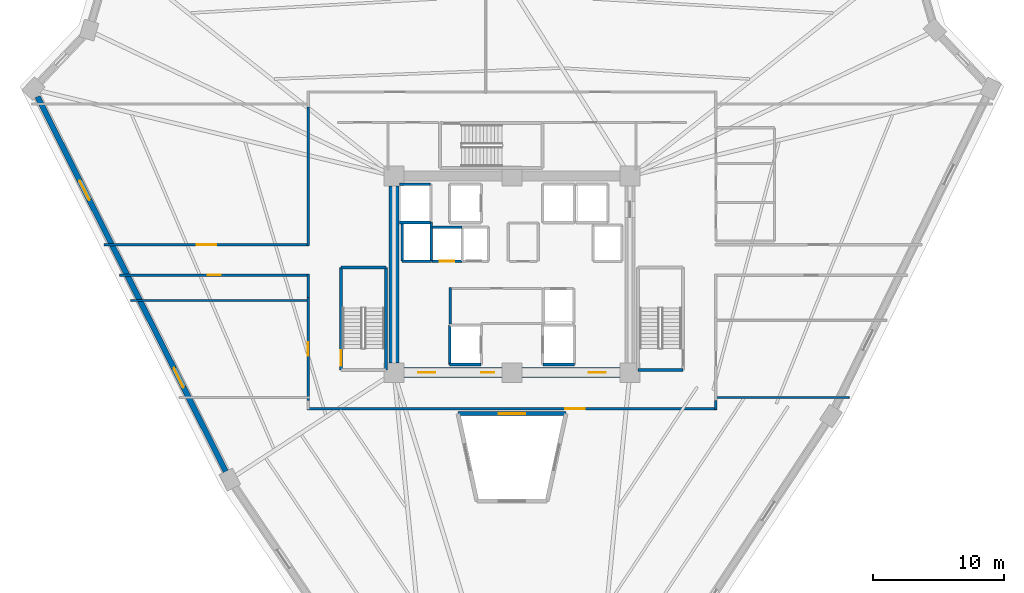
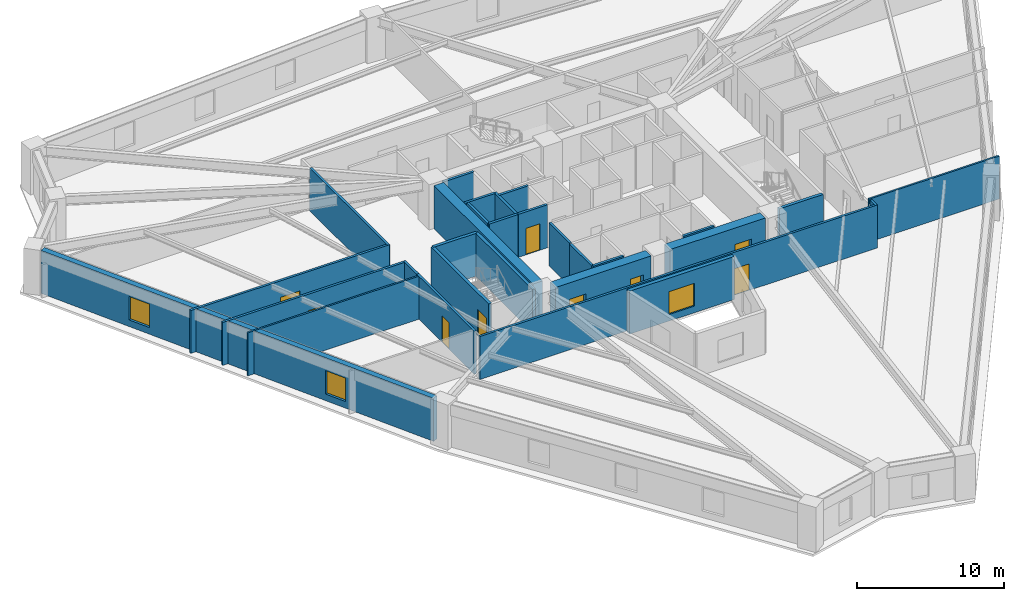
# One storey, part 3 of 7: 29 walls, 9 doors, 3 windows, 12 openings.
"""IFC4 building model written with IfcOpenShell, lengths in metres."""

from ifc_helpers import new_model, si_unit, direction, frame, frame_2d, origin, place, context, subcontext, project, spatial, rectangle, extrude, source, transform, mapped, material, layer, layer_set, type_object, element, fill, save


model = new_model("IFC4")

# Units and contexts
model_context = context("Model", 3, precision=1e-05, world=origin(), true_north=direction((0.0, 1.0)))
body_context = subcontext(model_context, "Body", "Model", "MODEL_VIEW")
ifc_project = project(units=[si_unit("LENGTHUNIT", "METRE"), si_unit("AREAUNIT", "SQUARE_METRE"), si_unit("VOLUMEUNIT", "CUBIC_METRE"), si_unit("PLANEANGLEUNIT", "RADIAN"), si_unit("MASSUNIT", "GRAM", prefix="KILO")], contexts=[model_context])

# Site, building, storey
site_placement = place(None, origin())
site = spatial("IfcSite", under=ifc_project, at=site_placement, CompositionType="ELEMENT")
building_placement = place(site_placement, origin())
building = spatial("IfcBuilding", under=site, at=building_placement, Name="Liaohun Quay Tower", CompositionType="ELEMENT")
storey_placement = place(building_placement, frame((0.0, 0.0, 120.75)))
storey = spatial("IfcBuildingStorey", under=building, at=storey_placement, Name="L31", CompositionType="ELEMENT", Elevation=120.75)

# Wall, opening, window
ifc_material_1 = material(Name="Concrete C50", Category="concrete")
ifc_layer_1 = layer(ifc_material_1, 0.300048828125, Name="Concrete C50", Category="concrete")
ifc_layer_set_1 = layer_set([ifc_layer_1], Name="Concrete C50")
wall_type_1 = type_object("IfcWallType", Name="WAL-ATR-300", PredefinedType="SOLIDWALL", material=ifc_layer_set_1)
wall_1_placement = place(storey_placement, frame((55.875, 43.3701171875, 0.0), z_axis=(0.0, 0.0, 1.0), x_axis=(1.0, 0.0, 0.0)))
wall_1 = element("IfcWall", 1, at=wall_1_placement, inside=storey, type_object=wall_type_1, Name="L31 Atrium Fire Compartment Wall 2", PredefinedType="SOLIDWALL", context=body_context, shape_type="SweptSolid", body=[
    extrude(rectangle(XDim=8.25, YDim=0.300048828125, at=frame_2d((4.125, 0.0))), origin(), (0.0, 0.0, 1.0), 3.570068359375),
])
shared_shape_1 = source(origin(), body_context, "Body", "SweptSolid", [
    extrude(rectangle(XDim=2.0, YDim=1.89990234375, at=frame_2d((1.0, 0.949951171875))), frame((0.0, 0.159912109375, 0.0), z_axis=(0.0, -1.0, 0.0), x_axis=(1.0, 0.0, 0.0)), (0.0, 0.0, 1.0), 0.320068359375),
])
opening_1_placement = place(wall_1_placement, frame((3.125, 0.0, 0.550048828125)))
opening_1 = element("IfcOpeningElement", 2, at=opening_1_placement, cuts=wall_1, Name="Opening W07", PredefinedType="OPENING", context=body_context, shape_type="MappedRepresentation", body=[
    mapped(shared_shape_1, transform((0.0, 0.0, 0.0), x_axis=(1.0, 0.0, 0.0), y_axis=(0.0, 1.0, 0.0), z_axis=(0.0, 0.0, 1.0), scale=1.0)),
])
ifc_material_2 = material(Name="Class A 180-min fire-resistant insulated glazing", Category="glass")
window_type_1 = type_object("IfcWindowType", Name="WIN-ATR-FIR", PartitioningType="DOUBLE_PANEL_VERTICAL", PredefinedType="WINDOW", material=ifc_material_2)
shared_shape_2 = source(origin(), body_context, "Body", "SweptSolid", [
    extrude(rectangle(XDim=2.0, YDim=1.89990234375, at=frame_2d((1.0, 0.949951171875))), frame((0.0, 0.030029296875, 0.0), z_axis=(0.0, -1.0, 0.0), x_axis=(1.0, 0.0, 0.0)), (0.0, 0.0, 1.0), 0.06005859375),
])
window_1_placement = place(opening_1_placement, origin())
window_1 = element("IfcWindow", 3, at=window_1_placement, inside=storey, type_object=window_type_1, Name="L31 Atrium Fire-Resistant Glazing W07-2", OverallHeight=1.89990234375, OverallWidth=2.0, PartitioningType="DOUBLE_PANEL_VERTICAL", PredefinedType="WINDOW", context=body_context, shape_type="MappedRepresentation", body=[
    mapped(shared_shape_2, transform((0.0, 0.0, 0.0), x_axis=(1.0, 0.0, 0.0), y_axis=(0.0, 1.0, 0.0), z_axis=(0.0, 0.0, 1.0), scale=1.0)),
])
fill(opening_1, window_1)

# Wall, opening, door
ifc_material_3 = material(Name="Concrete C60", Category="concrete")
ifc_layer_2 = layer(ifc_material_3, 0.75, Name="Concrete C60", Category="concrete")
ifc_layer_set_2 = layer_set([ifc_layer_2], Name="Concrete C60")
wall_type_2 = type_object("IfcWallType", Name="WAL-COR-Z2", PredefinedType="SHEAR", material=ifc_layer_set_2)
wall_2_placement = place(storey_placement, frame((68.25, 46.5, 0.0), z_axis=(0.0, 0.0, 1.0), x_axis=(-1.0, 0.0, 0.0)))
wall_2 = element("IfcWall", 4, at=wall_2_placement, inside=storey, type_object=wall_type_2, Name="L31 Central Core Shear Wall S-E", PredefinedType="SHEAR", context=body_context, shape_type="SweptSolid", body=[
    extrude(rectangle(XDim=7.5, YDim=0.75, at=frame_2d((3.75, 0.0))), origin(), (0.0, 0.0, 1.0), 3.570068359375),
])
shared_shape_3 = source(origin(), body_context, "Body", "SweptSolid", [
    extrude(rectangle(XDim=1.300048828125, YDim=2.199951171875, at=frame_2d((0.64990234375, 1.10009765625))), frame((0.0, 0.385009765625, 0.0), z_axis=(0.0, -1.0, 0.0), x_axis=(1.0, 0.0, 0.0)), (0.0, 0.0, 1.0), 0.77001953125),
])
opening_2_placement = place(wall_2_placement, frame((1.10009765625, 0.0, 0.0)))
opening_2 = element("IfcOpeningElement", 5, at=opening_2_placement, cuts=wall_2, Name="Opening FD1", PredefinedType="OPENING", context=body_context, shape_type="MappedRepresentation", body=[
    mapped(shared_shape_3, transform((0.0, 0.0, 0.0), x_axis=(1.0, 0.0, 0.0), y_axis=(0.0, 1.0, 0.0), z_axis=(0.0, 0.0, 1.0), scale=1.0)),
])
ifc_material_4 = material(Name="Galvanised steel smokeproof fire door", Category="steel")
door_type_1 = type_object("IfcDoorType", Name="DOR-FFL-1300", OperationType="NOTDEFINED", PredefinedType="DOOR", material=ifc_material_4)
shared_shape_4 = source(origin(), body_context, "Body", "SweptSolid", [
    extrude(rectangle(XDim=1.300048828125, YDim=2.199951171875, at=frame_2d((0.64990234375, 1.10009765625))), frame((0.0, 0.02490234375, 0.0), z_axis=(0.0, -1.0, 0.0), x_axis=(1.0, 0.0, 0.0)), (0.0, 0.0, 1.0), 0.050048828125),
])
door_1_placement = place(opening_2_placement, origin())
door_1 = element("IfcDoor", 6, at=door_1_placement, inside=storey, type_object=door_type_1, Name="L31 East Core Lift Lobby Smokeproof Door", OperationType="SINGLE_SWING_LEFT", OverallHeight=2.199951171875, OverallWidth=1.300048828125, PredefinedType="DOOR", context=body_context, shape_type="MappedRepresentation", body=[
    mapped(shared_shape_4, transform((0.0, 0.0, 0.0), x_axis=(1.0, 0.0, 0.0), y_axis=(0.0, 1.0, 0.0), z_axis=(0.0, 0.0, 1.0), scale=1.0)),
])
fill(opening_2, door_1)

# Wall, openings, doors
wall_3_placement = place(storey_placement, frame((59.25, 46.5, 0.0), z_axis=(0.0, 0.0, 1.0), x_axis=(-1.0, 0.0, 0.0)))
wall_3 = element("IfcWall", 7, at=wall_3_placement, inside=storey, type_object=wall_type_2, Name="L31 Central Core Shear Wall S-W", PredefinedType="SHEAR", context=body_context, shape_type="SweptSolid", body=[
    extrude(rectangle(XDim=7.5, YDim=0.75, at=frame_2d((3.75, 0.0))), origin(), (0.0, 0.0, 1.0), 3.570068359375),
])
opening_3_placement = place(wall_3_placement, frame((5.10009765625, 0.0, 0.0)))
opening_3 = element("IfcOpeningElement", 8, at=opening_3_placement, cuts=wall_3, Name="Opening FD1", PredefinedType="OPENING", context=body_context, shape_type="MappedRepresentation", body=[
    mapped(shared_shape_3, transform((0.0, 0.0, 0.0), x_axis=(1.0, 0.0, 0.0), y_axis=(0.0, 1.0, 0.0), z_axis=(0.0, 0.0, 1.0), scale=1.0)),
])
shared_shape_5 = source(origin(), body_context, "Body", "SweptSolid", [
    extrude(rectangle(XDim=1.0, YDim=2.199951171875, at=frame_2d((0.5, 1.10009765625))), frame((0.0, 0.385009765625, 0.0), z_axis=(0.0, -1.0, 0.0), x_axis=(1.0, 0.0, 0.0)), (0.0, 0.0, 1.0), 0.77001953125),
])
opening_4_placement = place(wall_3_placement, frame((0.60009765625, 0.0, 0.0)))
opening_4 = element("IfcOpeningElement", 9, at=opening_4_placement, cuts=wall_3, Name="Opening FD2", PredefinedType="OPENING", context=body_context, shape_type="MappedRepresentation", body=[
    mapped(shared_shape_5, transform((0.0, 0.0, 0.0), x_axis=(1.0, 0.0, 0.0), y_axis=(0.0, 1.0, 0.0), z_axis=(0.0, 0.0, 1.0), scale=1.0)),
])
door_2_placement = place(opening_3_placement, origin())
door_2 = element("IfcDoor", 10, at=door_2_placement, inside=storey, type_object=door_type_1, Name="L31 West Core Lift Lobby Smokeproof Door", OperationType="SINGLE_SWING_RIGHT", OverallHeight=2.199951171875, OverallWidth=1.300048828125, PredefinedType="DOOR", context=body_context, shape_type="MappedRepresentation", body=[
    mapped(shared_shape_4, transform((0.0, 0.0, 0.0), x_axis=(1.0, 0.0, 0.0), y_axis=(0.0, 1.0, 0.0), z_axis=(0.0, 0.0, 1.0), scale=1.0)),
])
fill(opening_3, door_2)
ifc_material_5 = material(Name="Galvanised steel smokeproof lobby fire door", Category="steel")
door_type_2 = type_object("IfcDoorType", Name="DOR-FFL-1000", OperationType="NOTDEFINED", PredefinedType="DOOR", material=ifc_material_5)
shared_shape_6 = source(origin(), body_context, "Body", "SweptSolid", [
    extrude(rectangle(XDim=1.0, YDim=2.199951171875, at=frame_2d((0.5, 1.10009765625))), frame((0.0, 0.02490234375, 0.0), z_axis=(0.0, -1.0, 0.0), x_axis=(1.0, 0.0, 0.0)), (0.0, 0.0, 1.0), 0.050048828125),
])
door_3_placement = place(opening_4_placement, origin())
door_3 = element("IfcDoor", 11, at=door_3_placement, inside=storey, type_object=door_type_2, Name="L31 South Firefighting Lobby Smokeproof Door", OperationType="SINGLE_SWING_LEFT", OverallHeight=2.199951171875, OverallWidth=1.0, PredefinedType="DOOR", context=body_context, shape_type="MappedRepresentation", body=[
    mapped(shared_shape_6, transform((0.0, 0.0, 0.0), x_axis=(1.0, 0.0, 0.0), y_axis=(0.0, 1.0, 0.0), z_axis=(0.0, 0.0, 1.0), scale=1.0)),
])
fill(opening_4, door_3)

# Wall
wall_4_placement = place(storey_placement, frame((51.0, 47.25, 0.0), z_axis=(0.0, 0.0, 1.0), x_axis=(0.0, 1.0, 0.0)))
element("IfcWall", 12, at=wall_4_placement, inside=storey, type_object=wall_type_2, Name="L31 Central Core Shear Wall W", PredefinedType="SHEAR", context=body_context, shape_type="SweptSolid", body=[
    extrude(rectangle(XDim=13.5, YDim=0.75, at=frame_2d((6.75, 0.0))), origin(), (0.0, 0.0, 1.0), 3.570068359375),
])

# Wall, openings, windows
ifc_material_6 = material(Name="Precast concrete C50 insulated sandwich", Category="concrete")
ifc_layer_3 = layer(ifc_material_6, 0.419921875, Name="Precast concrete C50 insulated sandwich", Category="concrete")
ifc_layer_set_3 = layer_set([ifc_layer_3], Name="Precast concrete C50 insulated sandwich")
wall_type_3 = type_object("IfcWallType", Name="WAL-EXT-Z12", PredefinedType="SOLIDWALL", material=ifc_layer_set_3)
wall_5_placement = place(storey_placement, frame((23.797119140625, 67.552978515625, 0.0), z_axis=(0.0, 0.0, 1.0), x_axis=(0.448851439989, -0.893606392558, 0.0)))
wall_5 = element("IfcWall", 13, at=wall_5_placement, inside=storey, type_object=wall_type_3, Name="L31 Brutalist Precast Pier Wall 10", PredefinedType="SOLIDWALL", context=body_context, shape_type="SweptSolid", body=[
    extrude(rectangle(XDim=32.00390625, YDim=0.419921875, at=frame_2d((16.001953125, 0.0))), origin(), (0.0, 0.0, 1.0), 3.570068359375),
])
shared_shape_7 = source(origin(), body_context, "Body", "SweptSolid", [
    extrude(rectangle(XDim=1.64990234375, YDim=1.949951171875, at=frame_2d((0.824951171875, 0.97509765625))), frame((0.0, 0.219970703125, 0.0), z_axis=(0.0, -1.0, 0.0), x_axis=(1.0, 0.0, 0.0)), (0.0, 0.0, 1.0), 0.43994140625),
])
opening_5_placement = place(wall_5_placement, frame((7.176025390625, 0.0, 0.550048828125)))
opening_5 = element("IfcOpeningElement", 14, at=opening_5_placement, cuts=wall_5, Name="Opening W02", PredefinedType="OPENING", context=body_context, shape_type="MappedRepresentation", body=[
    mapped(shared_shape_7, transform((0.0, 0.0, 0.0), x_axis=(1.0, 0.0, 0.0), y_axis=(0.0, 1.0, 0.0), z_axis=(0.0, 0.0, 1.0), scale=1.0)),
])
opening_6_placement = place(wall_5_placement, frame((23.177978515625, 0.0, 0.550048828125)))
opening_6 = element("IfcOpeningElement", 15, at=opening_6_placement, cuts=wall_5, Name="Opening W02", PredefinedType="OPENING", context=body_context, shape_type="MappedRepresentation", body=[
    mapped(shared_shape_7, transform((0.0, 0.0, 0.0), x_axis=(1.0, 0.0, 0.0), y_axis=(0.0, 1.0, 0.0), z_axis=(0.0, 0.0, 1.0), scale=1.0)),
])
ifc_material_7 = material(Name="Triple Low-E argon glazing in thermally broken aluminium", Category="aluminium")
window_type_2 = type_object("IfcWindowType", Name="WIN-PUN-Z2", PartitioningType="DOUBLE_PANEL_VERTICAL", PredefinedType="WINDOW", material=ifc_material_7)
shared_shape_8 = source(origin(), body_context, "Body", "SweptSolid", [
    extrude(rectangle(XDim=1.64990234375, YDim=1.949951171875, at=frame_2d((0.824951171875, 0.97509765625))), frame((0.0, 0.030029296875, 0.0), z_axis=(0.0, -1.0, 0.0), x_axis=(1.0, 0.0, 0.0)), (0.0, 0.0, 1.0), 0.06005859375),
])
window_2_placement = place(opening_5_placement, origin())
window_2 = element("IfcWindow", 16, at=window_2_placement, inside=storey, type_object=window_type_2, Name="L31 Recessed Cold-Climate Punched Window 10-1", OverallHeight=1.949951171875, OverallWidth=1.64990234375, PartitioningType="DOUBLE_PANEL_VERTICAL", PredefinedType="WINDOW", context=body_context, shape_type="MappedRepresentation", body=[
    mapped(shared_shape_8, transform((0.0, 0.0, 0.0), x_axis=(1.0, 0.0, 0.0), y_axis=(0.0, 1.0, 0.0), z_axis=(0.0, 0.0, 1.0), scale=1.0)),
])
fill(opening_5, window_2)
window_3_placement = place(opening_6_placement, origin())
window_3 = element("IfcWindow", 17, at=window_3_placement, inside=storey, type_object=window_type_2, Name="L31 Recessed Cold-Climate Punched Window 10-3", OverallHeight=1.949951171875, OverallWidth=1.64990234375, PartitioningType="DOUBLE_PANEL_VERTICAL", PredefinedType="WINDOW", context=body_context, shape_type="MappedRepresentation", body=[
    mapped(shared_shape_8, transform((0.0, 0.0, 0.0), x_axis=(1.0, 0.0, 0.0), y_axis=(0.0, 1.0, 0.0), z_axis=(0.0, 0.0, 1.0), scale=1.0)),
])
fill(opening_6, window_3)

# Wall, opening, door
ifc_material_8 = material(Name="Autoclaved aerated concrete blockwork", Category="masonry")
ifc_layer_4 = layer(ifc_material_8, 0.179931640625, Name="Autoclaved aerated concrete blockwork", Category="masonry")
ifc_layer_set_4 = layer_set([ifc_layer_4], Name="Autoclaved aerated concrete blockwork")
wall_type_4 = type_object("IfcWallType", Name="WAL-PRT-COR", PredefinedType="PARTITIONING", material=ifc_layer_set_4)
wall_6_placement = place(storey_placement, frame((28.8740234375, 56.260009765625, 0.0), z_axis=(0.0, 0.0, 1.0), x_axis=(1.0, 0.0, 0.0)))
wall_6 = element("IfcWall", 18, at=wall_6_placement, inside=storey, type_object=wall_type_4, Name="L31 Interior Partition Wall 013", PredefinedType="PARTITIONING", context=body_context, shape_type="SweptSolid", body=[
    extrude(rectangle(XDim=15.635986328125, YDim=0.179931640625, at=frame_2d((7.81787109375, 0.0))), origin(), (0.0, 0.0, 1.0), 3.570068359375),
])
shared_shape_9 = source(origin(), body_context, "Body", "SweptSolid", [
    extrude(rectangle(XDim=1.5, YDim=2.199951171875, at=frame_2d((0.75, 1.10009765625))), frame((0.0, 0.099853515625, 0.0), z_axis=(0.0, -1.0, 0.0), x_axis=(1.0, 0.0, 0.0)), (0.0, 0.0, 1.0), 0.199951171875),
])
opening_7_placement = place(wall_6_placement, frame((7.068115234375, 0.0, 0.0)))
opening_7 = element("IfcOpeningElement", 19, at=opening_7_placement, cuts=wall_6, Name="Opening OD2", PredefinedType="OPENING", context=body_context, shape_type="MappedRepresentation", body=[
    mapped(shared_shape_9, transform((0.0, 0.0, 0.0), x_axis=(1.0, 0.0, 0.0), y_axis=(0.0, 1.0, 0.0), z_axis=(0.0, 0.0, 1.0), scale=1.0)),
])
ifc_material_9 = material(Name="Acoustic oak veneer double door")
door_type_3 = type_object("IfcDoorType", Name="DOR-OFF-1500", OperationType="DOUBLE_DOOR_SINGLE_SWING", PredefinedType="DOOR", material=ifc_material_9)
shared_shape_10 = source(origin(), body_context, "Body", "SweptSolid", [
    extrude(rectangle(XDim=1.5, YDim=2.199951171875, at=frame_2d((0.75, 1.10009765625))), frame((0.0, 0.02490234375, 0.0), z_axis=(0.0, -1.0, 0.0), x_axis=(1.0, 0.0, 0.0)), (0.0, 0.0, 1.0), 0.050048828125),
])
door_4_placement = place(opening_7_placement, origin())
door_4 = element("IfcDoor", 20, at=door_4_placement, inside=storey, type_object=door_type_3, Name="L31 Project Collaboration Studio 04 Door", OperationType="DOUBLE_DOOR_SINGLE_SWING", OverallHeight=2.199951171875, OverallWidth=1.5, PredefinedType="DOOR", context=body_context, shape_type="MappedRepresentation", body=[
    mapped(shared_shape_10, transform((0.0, 0.0, 0.0), x_axis=(1.0, 0.0, 0.0), y_axis=(0.0, 1.0, 0.0), z_axis=(0.0, 0.0, 1.0), scale=1.0)),
])
fill(opening_7, door_4)

wall_7_placement = place(storey_placement, frame((44.510009765625, 53.93994140625, 0.0), z_axis=(0.0, 0.0, 1.0), x_axis=(-1.0, 0.0, 0.0)))
wall_7 = element("IfcWall", 21, at=wall_7_placement, inside=storey, type_object=wall_type_4, Name="L31 Interior Partition Wall 014", PredefinedType="PARTITIONING", context=body_context, shape_type="SweptSolid", body=[
    extrude(rectangle(XDim=14.470947265625, YDim=0.179931640625, at=frame_2d((7.2353515625, 0.0))), origin(), (0.0, 0.0, 1.0), 3.570068359375),
])
shared_shape_11 = source(origin(), body_context, "Body", "SweptSolid", [
    extrude(rectangle(XDim=1.0, YDim=2.199951171875, at=frame_2d((0.5, 1.10009765625))), frame((0.0, 0.099853515625, 0.0), z_axis=(0.0, -1.0, 0.0), x_axis=(1.0, 0.0, 0.0)), (0.0, 0.0, 1.0), 0.199951171875),
])
opening_8_placement = place(wall_7_placement, frame((6.735107421875, 0.0, 0.0)))
opening_8 = element("IfcOpeningElement", 22, at=opening_8_placement, cuts=wall_7, Name="Opening OD1", PredefinedType="OPENING", context=body_context, shape_type="MappedRepresentation", body=[
    mapped(shared_shape_11, transform((0.0, 0.0, 0.0), x_axis=(1.0, 0.0, 0.0), y_axis=(0.0, 1.0, 0.0), z_axis=(0.0, 0.0, 1.0), scale=1.0)),
])
ifc_material_10 = material(Name="Solid-core oak veneer timber leaf in steel frame", Category="steel")
door_type_4 = type_object("IfcDoorType", Name="DOR-OFF-1000", OperationType="NOTDEFINED", PredefinedType="DOOR", material=ifc_material_10)
door_5_placement = place(opening_8_placement, origin())
door_5 = element("IfcDoor", 23, at=door_5_placement, inside=storey, type_object=door_type_4, Name="L31 Staff Daycare Nursery 05 Door", OperationType="SINGLE_SWING_LEFT", OverallHeight=2.199951171875, OverallWidth=1.0, PredefinedType="DOOR", context=body_context, shape_type="MappedRepresentation", body=[
    mapped(shared_shape_6, transform((0.0, 0.0, 0.0), x_axis=(1.0, 0.0, 0.0), y_axis=(0.0, 1.0, 0.0), z_axis=(0.0, 0.0, 1.0), scale=1.0)),
])
fill(opening_8, door_5)

wall_8_placement = place(storey_placement, frame((44.43994140625, 44.385009765625, 0.0), z_axis=(0.0, 0.0, 1.0), x_axis=(0.0, 1.0, 0.0)))
wall_8 = element("IfcWall", 24, at=wall_8_placement, inside=storey, type_object=wall_type_4, Name="L31 Interior Partition Wall 015", PredefinedType="PARTITIONING", context=body_context, shape_type="SweptSolid", body=[
    extrude(rectangle(XDim=7.830078125, YDim=0.179931640625, at=frame_2d((3.9150390625, 0.0))), origin(), (0.0, 0.0, 1.0), 3.570068359375),
])
opening_9_placement = place(wall_8_placement, frame((3.4150390625, 0.0, 0.0)))
opening_9 = element("IfcOpeningElement", 25, at=opening_9_placement, cuts=wall_8, Name="Opening OD1", PredefinedType="OPENING", context=body_context, shape_type="MappedRepresentation", body=[
    mapped(shared_shape_11, transform((0.0, 0.0, 0.0), x_axis=(1.0, 0.0, 0.0), y_axis=(0.0, 1.0, 0.0), z_axis=(0.0, 0.0, 1.0), scale=1.0)),
])
door_6_placement = place(opening_9_placement, origin())
door_6 = element("IfcDoor", 26, at=door_6_placement, inside=storey, type_object=door_type_4, Name="L31 Staff Tea Kitchen and Pantry 06 Door", OperationType="SINGLE_SWING_RIGHT", OverallHeight=2.199951171875, OverallWidth=1.0, PredefinedType="DOOR", context=body_context, shape_type="MappedRepresentation", body=[
    mapped(shared_shape_6, transform((0.0, 0.0, 0.0), x_axis=(1.0, 0.0, 0.0), y_axis=(0.0, 1.0, 0.0), z_axis=(0.0, 0.0, 1.0), scale=1.0)),
])
fill(opening_9, door_6)

wall_9_placement = place(storey_placement, frame((75.6298828125, 43.739990234375, 0.0), z_axis=(0.0, 0.0, 1.0), x_axis=(-1.0, 0.0, 0.0)))
wall_9 = element("IfcWall", 27, at=wall_9_placement, inside=storey, type_object=wall_type_4, Name="L31 Interior Partition Wall 016", PredefinedType="PARTITIONING", context=body_context, shape_type="SweptSolid", body=[
    extrude(rectangle(XDim=31.259765625, YDim=0.179931640625, at=frame_2d((15.6298828125, 0.0))), origin(), (0.0, 0.0, 1.0), 3.570068359375),
])
opening_10_placement = place(wall_9_placement, frame((10.080078125, 0.0, 0.0)))
opening_10 = element("IfcOpeningElement", 28, at=opening_10_placement, cuts=wall_9, Name="Opening OD2", PredefinedType="OPENING", context=body_context, shape_type="MappedRepresentation", body=[
    mapped(shared_shape_9, transform((0.0, 0.0, 0.0), x_axis=(1.0, 0.0, 0.0), y_axis=(0.0, 1.0, 0.0), z_axis=(0.0, 0.0, 1.0), scale=1.0)),
])
door_7_placement = place(opening_10_placement, origin())
door_7 = element("IfcDoor", 29, at=door_7_placement, inside=storey, type_object=door_type_3, Name="L31 Technical Reference Library 07 Door", OperationType="DOUBLE_DOOR_SINGLE_SWING", OverallHeight=2.199951171875, OverallWidth=1.5, PredefinedType="DOOR", context=body_context, shape_type="MappedRepresentation", body=[
    mapped(shared_shape_10, transform((0.0, 0.0, 0.0), x_axis=(1.0, 0.0, 0.0), y_axis=(0.0, 1.0, 0.0), z_axis=(0.0, 0.0, 1.0), scale=1.0)),
])
fill(opening_10, door_7)

# Walls
wall_10_placement = place(storey_placement, frame((44.43994140625, 56.18994140625, 0.0), z_axis=(0.0, 0.0, 1.0), x_axis=(0.0, 1.0, 0.0)))
element("IfcWall", 30, at=wall_10_placement, inside=storey, type_object=wall_type_4, Name="L31 Interior Partition Wall 032", PredefinedType="PARTITIONING", context=body_context, shape_type="SweptSolid", body=[
    extrude(rectangle(XDim=10.594970703125, YDim=0.179931640625, at=frame_2d((5.29736328125, 0.0))), origin(), (0.0, 0.0, 1.0), 3.570068359375),
])
wall_11_placement = place(storey_placement, frame((44.43994140625, 52.215087890625, 0.0), z_axis=(0.0, 0.0, 1.0), x_axis=(0.0, 1.0, 0.0)))
element("IfcWall", 31, at=wall_11_placement, inside=storey, type_object=wall_type_4, Name="L31 Interior Partition Wall 033", PredefinedType="PARTITIONING", context=body_context, shape_type="SweptSolid", body=[
    extrude(rectangle(XDim=1.794921875, YDim=0.179931640625, at=frame_2d((0.8974609375, 0.0))), origin(), (0.0, 0.0, 1.0), 3.570068359375),
])
wall_12_placement = place(storey_placement, frame((75.56005859375, 44.385009765625, 0.0), z_axis=(0.0, 0.0, 1.0), x_axis=(0.0, -1.0, 0.0)))
element("IfcWall", 32, at=wall_12_placement, inside=storey, type_object=wall_type_4, Name="L31 Interior Partition Wall 035", PredefinedType="PARTITIONING", context=body_context, shape_type="SweptSolid", body=[
    extrude(rectangle(XDim=0.715087890625, YDim=0.179931640625, at=frame_2d((0.357421875, 0.0))), origin(), (0.0, 0.0, 1.0), 3.570068359375),
])
wall_13_placement = place(storey_placement, frame((55.300048828125, 50.219970703125, 0.0), z_axis=(0.0, 0.0, 1.0), x_axis=(0.0, 1.0, 0.0)))
element("IfcWall", 33, at=wall_13_placement, inside=storey, type_object=wall_type_4, Name="L31 Interior Partition Wall 044", PredefinedType="PARTITIONING", context=body_context, shape_type="SweptSolid", body=[
    extrude(rectangle(XDim=2.7900390625, YDim=0.179931640625, at=frame_2d((1.39501953125, 0.0))), origin(), (0.0, 0.0, 1.0), 3.570068359375),
])
ifc_material_11 = material(Name="Gypsum board on twin steel studs", Category="steel")
ifc_layer_5 = layer(ifc_material_11, 0.139892578125, Name="Gypsum board on twin steel studs", Category="steel")
ifc_layer_set_5 = layer_set([ifc_layer_5], Name="Gypsum board on twin steel studs")
wall_type_5 = type_object("IfcWallType", Name="WAL-PRT-OFF", PredefinedType="PARTITIONING", material=ifc_layer_set_5)
wall_14_placement = place(storey_placement, frame((44.5400390625, 52.0, 0.0), z_axis=(0.0, 0.0, 1.0), x_axis=(-1.0, 0.0, 0.0)))
element("IfcWall", 34, at=wall_14_placement, inside=storey, type_object=wall_type_5, Name="L31 Interior Partition Wall 038", PredefinedType="PARTITIONING", context=body_context, shape_type="SweptSolid", body=[
    extrude(rectangle(XDim=13.635986328125, YDim=0.139892578125, at=frame_2d((6.81787109375, 0.0))), origin(), (0.0, 0.0, 1.0), 3.570068359375),
])
wall_15_placement = place(storey_placement, frame((75.4599609375, 44.60009765625, 0.0), z_axis=(0.0, 0.0, 1.0), x_axis=(1.0, 0.0, 0.0)))
element("IfcWall", 35, at=wall_15_placement, inside=storey, type_object=wall_type_5, Name="L31 Interior Partition Wall 040", PredefinedType="PARTITIONING", context=body_context, shape_type="SweptSolid", body=[
    extrude(rectangle(XDim=10.259033203125, YDim=0.139892578125, at=frame_2d((5.12939453125, 0.0))), origin(), (0.0, 0.0, 1.0), 3.570068359375),
])
ifc_layer_6 = layer(ifc_material_1, 0.239990234375, Name="Concrete C50", Category="concrete")
ifc_layer_set_6 = layer_set([ifc_layer_6], Name="Concrete C50")
wall_type_6 = type_object("IfcWallType", Name="WAL-SHF-200", PredefinedType="SOLIDWALL", material=ifc_layer_set_6)
wall_16_placement = place(storey_placement, frame((50.3798828125, 46.699951171875, 0.0), z_axis=(0.0, 0.0, 1.0), x_axis=(0.0, 1.0, 0.0)))
element("IfcWall", 36, at=wall_16_placement, inside=storey, type_object=wall_type_6, Name="L31 Stairwell ST-1 Structural Core Wall E", PredefinedType="SOLIDWALL", context=body_context, shape_type="SweptSolid", body=[
    extrude(rectangle(XDim=7.820068359375, YDim=0.239990234375, at=frame_2d((3.91015625, 0.0))), origin(), (0.0, 0.0, 1.0), 3.570068359375),
])
wall_17_placement = place(storey_placement, frame((50.3798828125, 54.52001953125, 0.0), z_axis=(0.0, 0.0, 1.0), x_axis=(-1.0, 0.0, 0.0)))
element("IfcWall", 37, at=wall_17_placement, inside=storey, type_object=wall_type_6, Name="L31 Stairwell ST-1 Structural Core Wall N", PredefinedType="SOLIDWALL", context=body_context, shape_type="SweptSolid", body=[
    extrude(rectangle(XDim=3.43994140625, YDim=0.239990234375, at=frame_2d((1.719970703125, 0.0))), origin(), (0.0, 0.0, 1.0), 3.570068359375),
])

# Wall, opening, door
wall_18_placement = place(storey_placement, frame((46.93994140625, 54.52001953125, 0.0), z_axis=(0.0, 0.0, 1.0), x_axis=(0.0, -1.0, 0.0)))
wall_18 = element("IfcWall", 38, at=wall_18_placement, inside=storey, type_object=wall_type_6, Name="L31 Stairwell ST-1 Structural Core Wall W", PredefinedType="SOLIDWALL", context=body_context, shape_type="SweptSolid", body=[
    extrude(rectangle(XDim=7.820068359375, YDim=0.239990234375, at=frame_2d((3.91015625, 0.0))), origin(), (0.0, 0.0, 1.0), 3.570068359375),
])
shared_shape_12 = source(origin(), body_context, "Body", "SweptSolid", [
    extrude(rectangle(XDim=1.199951171875, YDim=2.199951171875, at=frame_2d((0.60009765625, 1.10009765625))), frame((0.0, 0.1298828125, 0.0), z_axis=(0.0, -1.0, 0.0), x_axis=(1.0, 0.0, 0.0)), (0.0, 0.0, 1.0), 0.260009765625),
])
opening_11_placement = place(wall_18_placement, frame((6.300048828125, 0.0, 0.0)))
opening_11 = element("IfcOpeningElement", 39, at=opening_11_placement, cuts=wall_18, Name="Opening SD1", PredefinedType="OPENING", context=body_context, shape_type="MappedRepresentation", body=[
    mapped(shared_shape_12, transform((0.0, 0.0, 0.0), x_axis=(1.0, 0.0, 0.0), y_axis=(0.0, 1.0, 0.0), z_axis=(0.0, 0.0, 1.0), scale=1.0)),
])
ifc_material_12 = material(Name="Galvanised steel fire door", Category="steel")
door_type_5 = type_object("IfcDoorType", Name="DOR-STR-1200", OperationType="NOTDEFINED", PredefinedType="DOOR", material=ifc_material_12)
shared_shape_13 = source(origin(), body_context, "Body", "SweptSolid", [
    extrude(rectangle(XDim=1.199951171875, YDim=2.199951171875, at=frame_2d((0.60009765625, 1.10009765625))), frame((0.0, 0.02490234375, 0.0), z_axis=(0.0, -1.0, 0.0), x_axis=(1.0, 0.0, 0.0)), (0.0, 0.0, 1.0), 0.050048828125),
])
door_8_placement = place(opening_11_placement, origin())
door_8 = element("IfcDoor", 40, at=door_8_placement, inside=storey, type_object=door_type_5, Name="L31 Protected Stair ST-1 Fire Door", OperationType="SINGLE_SWING_LEFT", OverallHeight=2.199951171875, OverallWidth=1.199951171875, PredefinedType="DOOR", context=body_context, shape_type="MappedRepresentation", body=[
    mapped(shared_shape_13, transform((0.0, 0.0, 0.0), x_axis=(1.0, 0.0, 0.0), y_axis=(0.0, 1.0, 0.0), z_axis=(0.0, 0.0, 1.0), scale=1.0)),
])
fill(opening_11, door_8)

# Walls
wall_19_placement = place(storey_placement, frame((69.6201171875, 46.699951171875, 0.0), z_axis=(0.0, 0.0, 1.0), x_axis=(1.0, 0.0, 0.0)))
element("IfcWall", 41, at=wall_19_placement, inside=storey, type_object=wall_type_6, Name="L31 Stairwell ST-2 Structural Core Wall S", PredefinedType="SOLIDWALL", context=body_context, shape_type="SweptSolid", body=[
    extrude(rectangle(XDim=3.43994140625, YDim=0.239990234375, at=frame_2d((1.719970703125, 0.0))), origin(), (0.0, 0.0, 1.0), 3.570068359375),
])
wall_20_placement = place(storey_placement, frame((55.25, 47.1201171875, 0.0), z_axis=(0.0, 0.0, 1.0), x_axis=(1.0, 0.0, 0.0)))
element("IfcWall", 42, at=wall_20_placement, inside=storey, type_object=wall_type_6, Name="L31 Lift FF-01 Hoistway Wall S", PredefinedType="SOLIDWALL", context=body_context, shape_type="SweptSolid", body=[
    extrude(rectangle(XDim=2.39990234375, YDim=0.199951171875, at=frame_2d((1.199951171875, 0.0))), origin(), (0.0, 0.0, 1.0), 3.570068359375),
])
wall_21_placement = place(storey_placement, frame((55.25, 50.1201171875, 0.0), z_axis=(0.0, 0.0, 1.0), x_axis=(0.0, -1.0, 0.0)))
element("IfcWall", 43, at=wall_21_placement, inside=storey, type_object=wall_type_6, Name="L31 Lift FF-01 Hoistway Wall W", PredefinedType="SOLIDWALL", context=body_context, shape_type="SweptSolid", body=[
    extrude(rectangle(XDim=3.0, YDim=0.199951171875, at=frame_2d((1.5, 0.0))), origin(), (0.0, 0.0, 1.0), 3.570068359375),
])
wall_22_placement = place(storey_placement, frame((62.35009765625, 47.1201171875, 0.0), z_axis=(0.0, 0.0, 1.0), x_axis=(1.0, 0.0, 0.0)))
element("IfcWall", 44, at=wall_22_placement, inside=storey, type_object=wall_type_6, Name="L31 Lift FF-02 Hoistway Wall S", PredefinedType="SOLIDWALL", context=body_context, shape_type="SweptSolid", body=[
    extrude(rectangle(XDim=2.39990234375, YDim=0.199951171875, at=frame_2d((1.199951171875, 0.0))), origin(), (0.0, 0.0, 1.0), 3.570068359375),
])
for number, where, z_axis, x_axis, name in (
    (45, (51.39990234375, 57.949951171875, 0.0), (0.0, 0.0, 1.0), (1.0, 0.0, 0.0), "L31 Lift SH-01 Hoistway Wall S"),
    (46, (53.800048828125, 60.8798828125, 0.0), (0.0, 0.0, 1.0), (-1.0, 0.0, 0.0), "L31 Lift SH-01 Hoistway Wall N"),
):
    element("IfcWall", number, at=place(storey_placement, frame(where, z_axis=z_axis, x_axis=x_axis)), inside=storey, type_object=wall_type_6, Name=name, PredefinedType="SOLIDWALL", context=body_context, shape_type="SweptSolid", body=[
        extrude(rectangle(XDim=2.400146484375, YDim=0.199951171875, at=frame_2d((1.2001953125, 0.0))), origin(), (0.0, 0.0, 1.0), 3.570068359375),
    ])
wall_23_placement = place(storey_placement, frame((51.6201171875, 55.0, 0.0), z_axis=(0.0, 0.0, 1.0), x_axis=(1.0, 0.0, 0.0)))
element("IfcWall", 47, at=wall_23_placement, inside=storey, type_object=wall_type_6, Name="L31 Lift SH-02 Hoistway Wall S", PredefinedType="SOLIDWALL", context=body_context, shape_type="SweptSolid", body=[
    extrude(rectangle(XDim=2.22998046875, YDim=0.199951171875, at=frame_2d((1.114990234375, 0.0))), origin(), (0.0, 0.0, 1.0), 3.570068359375),
])
for number, where, z_axis, x_axis, name in (
    (48, (53.85009765625, 55.0, 0.0), (0.0, 0.0, 1.0), (0.0, 1.0, 0.0), "L31 Lift SH-02 Hoistway Wall E"),
    (49, (51.6201171875, 58.0, 0.0), (0.0, 0.0, 1.0), (0.0, -1.0, 0.0), "L31 Lift SH-02 Hoistway Wall W"),
):
    element("IfcWall", number, at=place(storey_placement, frame(where, z_axis=z_axis, x_axis=x_axis)), inside=storey, type_object=wall_type_6, Name=name, PredefinedType="SOLIDWALL", context=body_context, shape_type="SweptSolid", body=[
        extrude(rectangle(XDim=3.0, YDim=0.199951171875, at=frame_2d((1.5, 0.0))), origin(), (0.0, 0.0, 1.0), 3.570068359375),
    ])

# Wall, opening, door
wall_24_placement = place(storey_placement, frame((53.89990234375, 55.0, 0.0), z_axis=(0.0, 0.0, 1.0), x_axis=(1.0, 0.0, 0.0)))
wall_24 = element("IfcWall", 50, at=wall_24_placement, inside=storey, type_object=wall_type_6, Name="L31 Lift PL-2B Hoistway Wall S", PredefinedType="SOLIDWALL", context=body_context, shape_type="SweptSolid", body=[
    extrude(rectangle(XDim=2.300048828125, YDim=0.199951171875, at=frame_2d((1.14990234375, 0.0))), origin(), (0.0, 0.0, 1.0), 3.570068359375),
])
shared_shape_14 = source(origin(), body_context, "Body", "SweptSolid", [
    extrude(rectangle(XDim=1.10009765625, YDim=2.199951171875, at=frame_2d((0.550048828125, 1.10009765625))), frame((0.0, 0.10986328125, 0.0), z_axis=(0.0, -1.0, 0.0), x_axis=(1.0, 0.0, 0.0)), (0.0, 0.0, 1.0), 0.219970703125),
])
opening_12_placement = place(wall_24_placement, frame((0.60009765625, 0.0, 0.0)))
opening_12 = element("IfcOpeningElement", 51, at=opening_12_placement, cuts=wall_24, Name="Opening LD1", PredefinedType="OPENING", context=body_context, shape_type="MappedRepresentation", body=[
    mapped(shared_shape_14, transform((0.0, 0.0, 0.0), x_axis=(1.0, 0.0, 0.0), y_axis=(0.0, 1.0, 0.0), z_axis=(0.0, 0.0, 1.0), scale=1.0)),
])
ifc_material_13 = material(Name="Brushed stainless steel landing door", Category="steel")
door_type_6 = type_object("IfcDoorType", Name="DOR-LFT-1100", OperationType="SLIDING_TO_LEFT", PredefinedType="DOOR", material=ifc_material_13)
shared_shape_15 = source(origin(), body_context, "Body", "SweptSolid", [
    extrude(rectangle(XDim=1.10009765625, YDim=2.199951171875, at=frame_2d((0.550048828125, 1.10009765625))), frame((0.0, 0.02490234375, 0.0), z_axis=(0.0, -1.0, 0.0), x_axis=(1.0, 0.0, 0.0)), (0.0, 0.0, 1.0), 0.050048828125),
])
door_9_placement = place(opening_12_placement, origin())
door_9 = element("IfcDoor", 52, at=door_9_placement, inside=storey, type_object=door_type_6, Name="L31 Lift PL-2B Sliding Landing Door", OperationType="SLIDING_TO_LEFT", OverallHeight=2.199951171875, OverallWidth=1.10009765625, PredefinedType="DOOR", context=body_context, shape_type="MappedRepresentation", body=[
    mapped(shared_shape_15, transform((0.0, 0.0, 0.0), x_axis=(1.0, 0.0, 0.0), y_axis=(0.0, 1.0, 0.0), z_axis=(0.0, 0.0, 1.0), scale=1.0)),
])
fill(opening_12, door_9)

# Wall
wall_25_placement = place(storey_placement, frame((56.199951171875, 57.60009765625, 0.0), z_axis=(0.0, 0.0, 1.0), x_axis=(-1.0, 0.0, 0.0)))
element("IfcWall", 53, at=wall_25_placement, inside=storey, type_object=wall_type_6, Name="L31 Lift PL-2B Hoistway Wall N", PredefinedType="SOLIDWALL", context=body_context, shape_type="SweptSolid", body=[
    extrude(rectangle(XDim=2.300048828125, YDim=0.199951171875, at=frame_2d((1.14990234375, 0.0))), origin(), (0.0, 0.0, 1.0), 3.570068359375),
])

save(model, "model.ifc")
